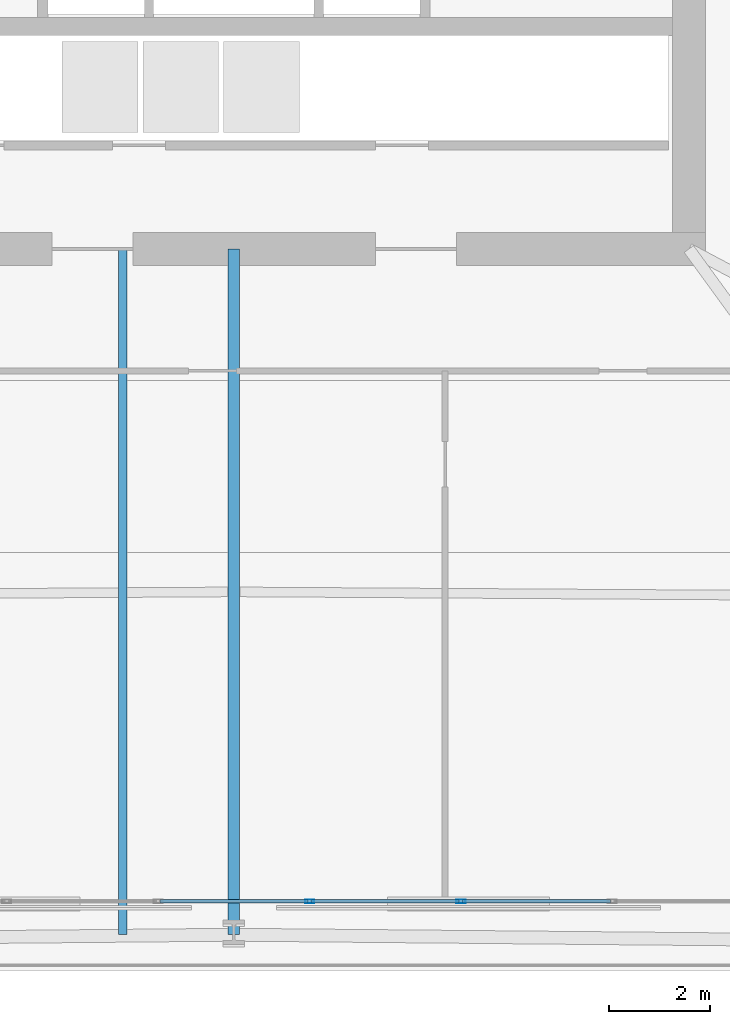
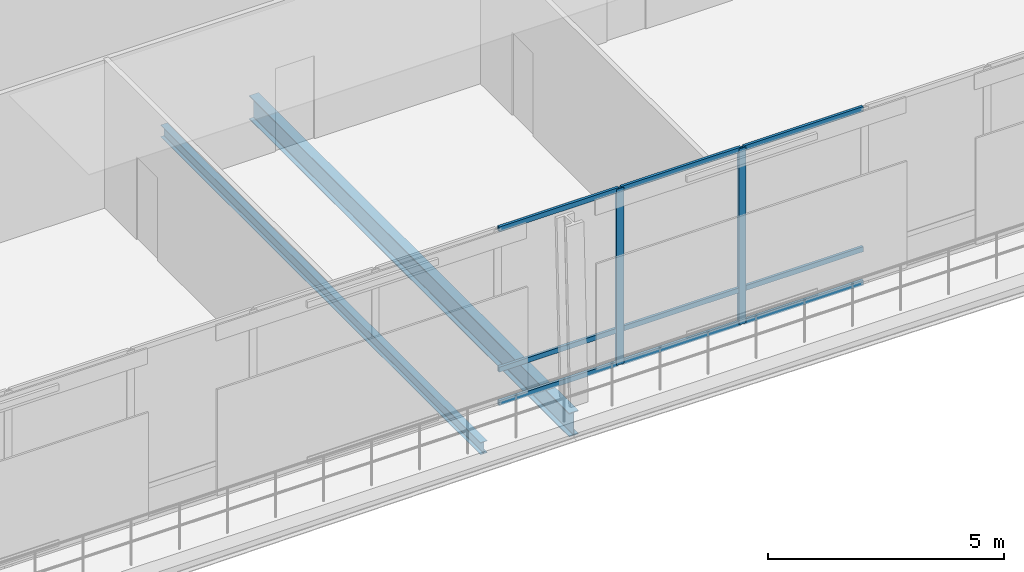
# One storey, part 10 of 48: 11 members, 2 beams, 1 element without a shape of its own.
"""IFC4 building model written with IfcOpenShell, lengths in metres."""

from ifc_helpers import new_model, si_unit, direction, frame, origin, origin_2d, place, context, subcontext, project, spatial, hollow_rectangle, i_section, extrude, material, layer, layer_set, material_profile, profile_set, type_object, element, aggregate, save


model = new_model("IFC4")

# Units and contexts
model_context = context("Model", 3, precision=1e-05, world=origin(), true_north=direction((0.0, 1.0)))
body_context = subcontext(model_context, "Body", "Model", "MODEL_VIEW")
ifc_project = project(units=[si_unit("LENGTHUNIT", "METRE"), si_unit("AREAUNIT", "SQUARE_METRE"), si_unit("VOLUMEUNIT", "CUBIC_METRE"), si_unit("PLANEANGLEUNIT", "RADIAN"), si_unit("MASSUNIT", "GRAM", prefix="KILO")], contexts=[model_context])

# Site, building, storey
site_placement = place(None, origin())
site = spatial("IfcSite", under=ifc_project, at=site_placement, CompositionType="ELEMENT")
building_placement = place(site_placement, origin())
building = spatial("IfcBuilding", under=site, at=building_placement, Name="Caelvoria Tower", CompositionType="ELEMENT")
storey_placement = place(building_placement, frame((0.0, 0.0, 90.39990234375)))
storey = spatial("IfcBuildingStorey", under=building, at=storey_placement, Name="L23", CompositionType="ELEMENT", Elevation=90.39990234375)

# Beam
ifc_material_1 = material(Name="Structural Steel ASTM A992 Gr.50", Category="steel")
ifc_material_profile_1 = material_profile(ifc_material_1, i_section(OverallWidth=0.166015625, OverallDepth=0.31298828125, WebThickness=0.006591796875, FlangeThickness=0.01123046875, FilletRadius=0.011962890625, at=origin_2d()), Name="Structural Steel ASTM A992 Gr.50")
ifc_profile_set_1 = profile_set([ifc_material_profile_1], Name="W310X44.5 - Structural Steel ASTM A992 Gr.50")
beam_type_1 = type_object("IfcBeamType", Name="Composite Floor Intermediate Joist W310X44.5", PredefinedType="JOIST", material=ifc_profile_set_1)
beam_1_placement = place(storey_placement, frame((43.800048828125, 24.0, -0.476806640625), z_axis=(0.0, -1.0, 0.0), x_axis=(1.0, 0.0, 0.0)))
element("IfcBeam", 1, at=beam_1_placement, inside=storey, type_object=beam_type_1, Name="Intermediate Floor Joist L23 South", PredefinedType="JOIST", context=body_context, shape_type="SweptSolid", body=[
    extrude(i_section(OverallWidth=0.166015625, OverallDepth=0.31298828125, WebThickness=0.006591796875, FlangeThickness=0.01123046875, FilletRadius=0.011962890625, at=origin_2d()), origin(), (0.0, 0.0, 1.0), 13.563232421875),
])

# Curtain wall, members
ifc_material_2 = material(Name="Anodised Bronze Aluminium and Low-E Glass", Category="aluminium")
ifc_layer = layer(ifc_material_2, 0.2099609375, Name="Anodised Bronze Aluminium and Low-E Glass")
ifc_layer_set = layer_set([ifc_layer], Name="CW System 3 Sky Lobby Double-Height Acoustic Facade - Anodised Bronze Aluminium and Low-E Glass")
curtain_wall_type = type_object("IfcCurtainWallType", Name="CW System 3 Sky Lobby Double-Height Acoustic Facade", PredefinedType="NOTDEFINED", material=ifc_layer_set)
curtain_wall_placement = place(storey_placement, origin())
curtain_wall = element("IfcCurtainWall", 2, at=curtain_wall_placement, inside=storey, type_object=curtain_wall_type, Name="CW-03 Curtain Wall L23-E0", PredefinedType="NOTDEFINED")
ifc_material_3 = material(Name="Anodised Bronze Architectural Aluminium", Category="aluminium")
ifc_material_profile_2 = material_profile(ifc_material_3, hollow_rectangle(XDim=0.070068359375, YDim=0.179931640625, WallThickness=0.00390625, at=origin_2d()), Name="Anodised Bronze Architectural Aluminium")
ifc_profile_set_2 = profile_set([ifc_material_profile_2], Name="CW_MULL_70X180 - Anodised Bronze Architectural Aluminium")
member_type_1 = type_object("IfcMemberType", Name="Curtain Wall Mullion 70x180 Bronze Aluminium", PredefinedType="MULLION", material=ifc_profile_set_2)
member_1_placement = place(storey_placement, frame((47.49755859375, 11.0966796875, 0.0), z_axis=(0.0, 0.0, 1.0), x_axis=(0.0, 1.0, 0.0)))
member_1 = element("IfcMember", 3, at=member_1_placement, type_object=member_type_1, Name="CW-03 mullion 8", PredefinedType="MULLION", context=body_context, shape_type="SweptSolid", body=[
    extrude(hollow_rectangle(XDim=0.070068359375, YDim=0.179931640625, WallThickness=0.00390625, at=origin_2d()), origin(), (0.0, 0.0, 1.0), 4.56005859375),
])
member_2_placement = place(storey_placement, frame((50.492431640625, 11.0966796875, 0.0), z_axis=(0.0, 0.0, 1.0), x_axis=(0.0, 1.0, 0.0)))
member_2 = element("IfcMember", 4, at=member_2_placement, type_object=member_type_1, Name="CW-03 mullion 9", PredefinedType="MULLION", context=body_context, shape_type="SweptSolid", body=[
    extrude(hollow_rectangle(XDim=0.070068359375, YDim=0.179931640625, WallThickness=0.00390625, at=origin_2d()), origin(), (0.0, 0.0, 1.0), 4.56005859375),
])
ifc_material_profile_3 = material_profile(ifc_material_3, hollow_rectangle(XDim=0.06494140625, YDim=0.1298828125, WallThickness=0.00341796875, at=origin_2d()), Name="Anodised Bronze Architectural Aluminium")
ifc_profile_set_3 = profile_set([ifc_material_profile_3], Name="CW_TRAN_65X130 - Anodised Bronze Architectural Aluminium")
member_type_2 = type_object("IfcMemberType", Name="Curtain Wall Transom 65x130 Bronze Aluminium", PredefinedType="USERDEFINED", material=ifc_profile_set_3)
member_3_placement = place(storey_placement, frame((44.53759765625, 11.0966796875, 0.03271484375), z_axis=(1.0, 0.0, 0.0), x_axis=(0.0, 1.0, 0.0)))
member_3 = element("IfcMember", 5, at=member_3_placement, type_object=member_type_2, Name="CW-03 transom 7.1", ObjectType="TRANSOM", PredefinedType="USERDEFINED", context=body_context, shape_type="SweptSolid", body=[
    extrude(hollow_rectangle(XDim=0.06494140625, YDim=0.1298828125, WallThickness=0.00341796875, at=origin_2d()), origin(), (0.0, 0.0, 1.0), 2.9248046875),
])
member_4_placement = place(storey_placement, frame((44.53759765625, 11.0966796875, 0.900146484375), z_axis=(1.0, 0.0, 0.0), x_axis=(0.0, 1.0, 0.0)))
member_4 = element("IfcMember", 6, at=member_4_placement, type_object=member_type_2, Name="CW-03 transom 7.2", ObjectType="TRANSOM", PredefinedType="USERDEFINED", context=body_context, shape_type="SweptSolid", body=[
    extrude(hollow_rectangle(XDim=0.06494140625, YDim=0.1298828125, WallThickness=0.00341796875, at=origin_2d()), origin(), (0.0, 0.0, 1.0), 2.9248046875),
])
member_5_placement = place(storey_placement, frame((44.53759765625, 11.0966796875, 4.527587890625), z_axis=(1.0, 0.0, 0.0), x_axis=(0.0, 1.0, 0.0)))
member_5 = element("IfcMember", 7, at=member_5_placement, type_object=member_type_2, Name="CW-03 transom 7.3", ObjectType="TRANSOM", PredefinedType="USERDEFINED", context=body_context, shape_type="SweptSolid", body=[
    extrude(hollow_rectangle(XDim=0.06494140625, YDim=0.1298828125, WallThickness=0.00341796875, at=origin_2d()), origin(), (0.0, 0.0, 1.0), 2.9248046875),
])
member_6_placement = place(storey_placement, frame((47.532470703125, 11.0966796875, 0.03271484375), z_axis=(1.0, 0.0, 0.0), x_axis=(0.0, 1.0, 0.0)))
member_6 = element("IfcMember", 8, at=member_6_placement, type_object=member_type_2, Name="CW-03 transom 8.1", ObjectType="TRANSOM", PredefinedType="USERDEFINED", context=body_context, shape_type="SweptSolid", body=[
    extrude(hollow_rectangle(XDim=0.06494140625, YDim=0.1298828125, WallThickness=0.00341796875, at=origin_2d()), origin(), (0.0, 0.0, 1.0), 2.9248046875),
])
member_7_placement = place(storey_placement, frame((47.532470703125, 11.0966796875, 0.900146484375), z_axis=(1.0, 0.0, 0.0), x_axis=(0.0, 1.0, 0.0)))
member_7 = element("IfcMember", 9, at=member_7_placement, type_object=member_type_2, Name="CW-03 transom 8.2", ObjectType="TRANSOM", PredefinedType="USERDEFINED", context=body_context, shape_type="SweptSolid", body=[
    extrude(hollow_rectangle(XDim=0.06494140625, YDim=0.1298828125, WallThickness=0.00341796875, at=origin_2d()), origin(), (0.0, 0.0, 1.0), 2.9248046875),
])
member_8_placement = place(storey_placement, frame((47.532470703125, 11.0966796875, 4.527587890625), z_axis=(1.0, 0.0, 0.0), x_axis=(0.0, 1.0, 0.0)))
member_8 = element("IfcMember", 10, at=member_8_placement, type_object=member_type_2, Name="CW-03 transom 8.3", ObjectType="TRANSOM", PredefinedType="USERDEFINED", context=body_context, shape_type="SweptSolid", body=[
    extrude(hollow_rectangle(XDim=0.06494140625, YDim=0.1298828125, WallThickness=0.00341796875, at=origin_2d()), origin(), (0.0, 0.0, 1.0), 2.9248046875),
])
member_9_placement = place(storey_placement, frame((50.52734375, 11.0966796875, 0.03271484375), z_axis=(1.0, 0.0, 0.0), x_axis=(0.0, 1.0, 0.0)))
member_9 = element("IfcMember", 11, at=member_9_placement, type_object=member_type_2, Name="CW-03 transom 9.1", ObjectType="TRANSOM", PredefinedType="USERDEFINED", context=body_context, shape_type="SweptSolid", body=[
    extrude(hollow_rectangle(XDim=0.06494140625, YDim=0.1298828125, WallThickness=0.00341796875, at=origin_2d()), origin(), (0.0, 0.0, 1.0), 2.9248046875),
])
member_10_placement = place(storey_placement, frame((50.52734375, 11.0966796875, 0.900146484375), z_axis=(1.0, 0.0, 0.0), x_axis=(0.0, 1.0, 0.0)))
member_10 = element("IfcMember", 12, at=member_10_placement, type_object=member_type_2, Name="CW-03 transom 9.2", ObjectType="TRANSOM", PredefinedType="USERDEFINED", context=body_context, shape_type="SweptSolid", body=[
    extrude(hollow_rectangle(XDim=0.06494140625, YDim=0.1298828125, WallThickness=0.00341796875, at=origin_2d()), origin(), (0.0, 0.0, 1.0), 2.9248046875),
])
member_11_placement = place(storey_placement, frame((50.52734375, 11.0966796875, 4.527587890625), z_axis=(1.0, 0.0, 0.0), x_axis=(0.0, 1.0, 0.0)))
member_11 = element("IfcMember", 13, at=member_11_placement, type_object=member_type_2, Name="CW-03 transom 9.3", ObjectType="TRANSOM", PredefinedType="USERDEFINED", context=body_context, shape_type="SweptSolid", body=[
    extrude(hollow_rectangle(XDim=0.06494140625, YDim=0.1298828125, WallThickness=0.00341796875, at=origin_2d()), origin(), (0.0, 0.0, 1.0), 2.9248046875),
])
aggregate(curtain_wall, [member_1, member_2, member_3, member_4, member_5, member_6, member_7, member_8, member_9, member_10, member_11])

# Beam
ifc_material_profile_4 = material_profile(ifc_material_1, i_section(OverallWidth=0.22900390625, OverallDepth=0.612060546875, WebThickness=0.011962890625, FlangeThickness=0.01953125, FilletRadius=0.01806640625, at=origin_2d()), Name="Structural Steel ASTM A992 Gr.50")
ifc_profile_set_4 = profile_set([ifc_material_profile_4], Name="W610X125 - Structural Steel ASTM A992 Gr.50")
beam_type_2 = type_object("IfcBeamType", Name="Primary Radial Floor Girder W610X125", PredefinedType="BEAM", material=ifc_profile_set_4)
beam_2_placement = place(storey_placement, frame((46.0, 24.0, -0.6259765625), z_axis=(0.0, -1.0, 0.0), x_axis=(1.0, 0.0, 0.0)))
element("IfcBeam", 14, at=beam_2_placement, inside=storey, type_object=beam_type_2, Name="Primary Floor Girder L23-01", PredefinedType="BEAM", context=body_context, shape_type="SweptSolid", body=[
    extrude(i_section(OverallWidth=0.22900390625, OverallDepth=0.612060546875, WebThickness=0.011962890625, FlangeThickness=0.01953125, FilletRadius=0.01806640625, at=origin_2d()), origin(), (0.0, 0.0, 1.0), 13.563232421875),
])

save(model, "model.ifc")
